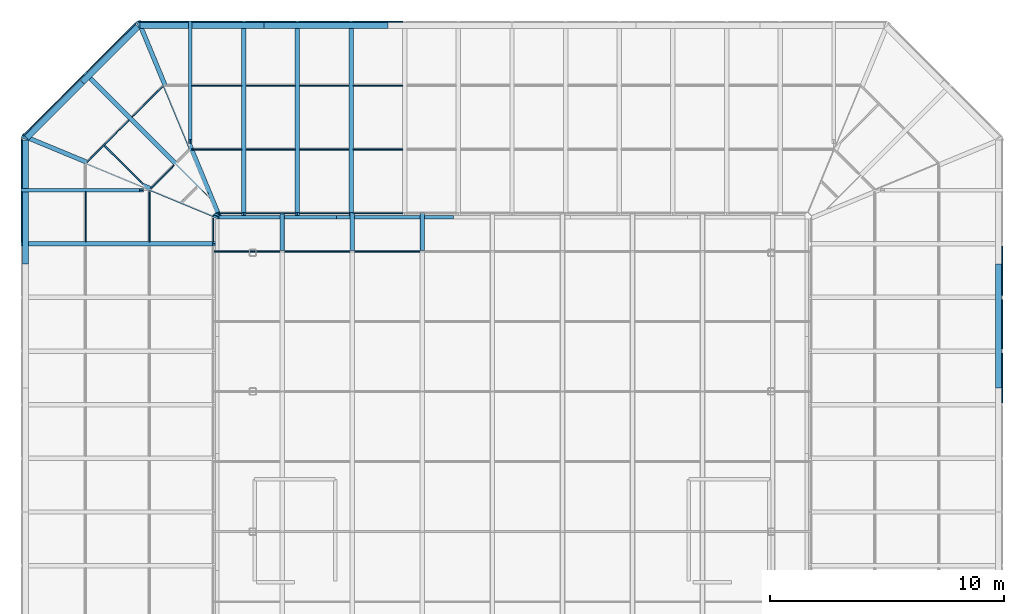
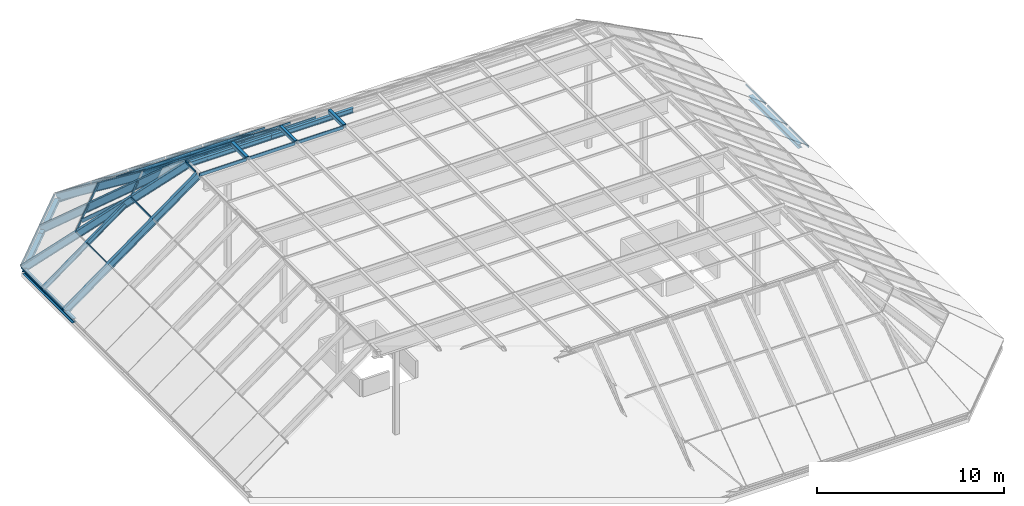
# One storey, part 8 of 15: 57 members, 5 elements without a shape of their own.
"""IFC4 building model written with IfcOpenShell, lengths in metres."""

from ifc_helpers import new_model, si_unit, direction, frame, origin, origin_2d, place, context, subcontext, project, spatial, rectangle, hollow_rectangle, i_section, extrude, material, constituent, constituent_set, material_profile, profile_set, type_object, element, aggregate, save


model = new_model("IFC4")

# Units and contexts
model_context = context("Model", 3, precision=1e-05, world=origin(), true_north=direction((0.0, 1.0)))
body_context = subcontext(model_context, "Body", "Model", "MODEL_VIEW")
ifc_project = project(units=[si_unit("LENGTHUNIT", "METRE"), si_unit("AREAUNIT", "SQUARE_METRE"), si_unit("VOLUMEUNIT", "CUBIC_METRE"), si_unit("PLANEANGLEUNIT", "RADIAN"), si_unit("MASSUNIT", "GRAM", prefix="KILO")], contexts=[model_context])

# Site, building, storey
site_placement = place(None, origin())
site = spatial("IfcSite", under=ifc_project, at=site_placement, CompositionType="ELEMENT")
building_placement = place(site_placement, origin())
building = spatial("IfcBuilding", under=site, at=building_placement, Name="Quoin Convention Tower", CompositionType="ELEMENT")
storey_placement = place(building_placement, frame((0.0, 0.0, 273.699951171875)))
storey = spatial("IfcBuildingStorey", under=building, at=storey_placement, Name="Roof", CompositionType="ELEMENT", Elevation=273.699951171875)

# Curtain wall, members
ifc_material_1 = material(Name="Aluminium", Category="aluminium")
ifc_constituent_1 = constituent(ifc_material_1, Name="Frame")
ifc_material_2 = material(Name="Insulated glass", Category="glass")
ifc_constituent_2 = constituent(ifc_material_2, Name="Glazing")
ifc_constituent_set = constituent_set(constituents=[ifc_constituent_1, ifc_constituent_2], Name="Aluminium")
curtain_wall_type = type_object("IfcCurtainWallType", Name="Lantern roof system", PredefinedType="NOTDEFINED", material=ifc_constituent_set)
curtain_wall_1_placement = place(storey_placement, origin())
curtain_wall_1 = element("IfcCurtainWall", 1, at=curtain_wall_1_placement, inside=storey, type_object=curtain_wall_type, Name="crn-LNR-CAP", PredefinedType="NOTDEFINED")
ifc_material_3 = material(Name="Steel C450L0", Category="steel")
ifc_material_profile_1 = material_profile(ifc_material_3, hollow_rectangle(XDim=0.199951171875, YDim=0.199951171875, WallThickness=0.010009765625, InnerFilletRadius=0.014892578125, OuterFilletRadius=0.02490234375, at=origin_2d()), Name="200x200x10.0SHS")
ifc_profile_set_1 = profile_set([ifc_material_profile_1], Name="Steel C450L0")
member_type_1 = type_object("IfcMemberType", Name="200x200x10.0SHS LANTERN CAP RAIL", PredefinedType="MULLION", material=ifc_profile_set_1)
member_1_placement = place(storey_placement, frame((46.409912109375, 71.93994140625, 6.495361328125), z_axis=(0.0, 1.0, 0.0), x_axis=(-1.0, 0.0, 0.0)))
member_1 = element("IfcMember", 2, at=member_1_placement, type_object=member_type_1, Name="CW6 cap rail", PredefinedType="MULLION", context=body_context, shape_type="SweptSolid", body=[
    extrude(hollow_rectangle(XDim=0.199951171875, YDim=0.199951171875, WallThickness=0.010009765625, InnerFilletRadius=0.014892578125, OuterFilletRadius=0.02490234375, at=origin_2d()), origin(), (0.0, 0.0, 1.0), 1.633544921875),
])
member_2_placement = place(storey_placement, frame((49.409912109375, 71.93994140625, 6.495361328125), z_axis=(0.0, 1.0, 0.0), x_axis=(-1.0, 0.0, 0.0)))
member_2 = element("IfcMember", 3, at=member_2_placement, type_object=member_type_1, Name="CW6 cap rail", PredefinedType="MULLION", context=body_context, shape_type="SweptSolid", body=[
    extrude(hollow_rectangle(XDim=0.199951171875, YDim=0.199951171875, WallThickness=0.010009765625, InnerFilletRadius=0.014892578125, OuterFilletRadius=0.02490234375, at=origin_2d()), origin(), (0.0, 0.0, 1.0), 1.633544921875),
])
member_3_placement = place(storey_placement, frame((52.409912109375, 71.93994140625, 6.495361328125), z_axis=(0.0, 1.0, 0.0), x_axis=(-1.0, 0.0, 0.0)))
member_3 = element("IfcMember", 4, at=member_3_placement, type_object=member_type_1, Name="CW6 cap rail", PredefinedType="MULLION", context=body_context, shape_type="SweptSolid", body=[
    extrude(hollow_rectangle(XDim=0.199951171875, YDim=0.199951171875, WallThickness=0.010009765625, InnerFilletRadius=0.014892578125, OuterFilletRadius=0.02490234375, at=origin_2d()), origin(), (0.0, 0.0, 1.0), 1.633544921875),
])

# Members
ifc_material_4 = material(Name="Steel Grade 300", Category="steel")
ifc_material_profile_2 = material_profile(ifc_material_4, i_section(OverallWidth=0.256103515625, OverallDepth=0.260009765625, WebThickness=0.010498046875, FlangeThickness=0.017333984375, FilletRadius=0.013916015625, at=origin_2d()), Name="250UC89.5")
ifc_profile_set_2 = profile_set([ifc_material_profile_2], Name="Steel Grade 300")
member_type_2 = type_object("IfcMemberType", Name="250UC89.5 EAVES RING", PredefinedType="CHORD", material=ifc_profile_set_2)
for number, where, z_axis, x_axis, name in (
    (5, (77.072021484375, 66.061279296875, 0.130126953125), (0.0, 1.0, 0.0), (-1.0, 0.0, 0.0), "LANTERN EAVES RING"),
    (6, (50.938720703125, 81.572021484375, 0.130126953125), (-1.0, 0.0, 0.0), (0.0, -1.0, 0.0), "LANTERN EAVES RING"),
    (7, (45.62744140625, 81.572021484375, 0.130126953125), (-1.0, 0.0, 0.0), (0.0, -1.0, 0.0), "LANTERN EAVES RING"),
):
    element("IfcMember", number, at=place(storey_placement, frame(where, z_axis=z_axis, x_axis=x_axis)), inside=storey, type_object=member_type_2, Name=name, PredefinedType="CHORD", context=body_context, shape_type="SweptSolid", body=[
        extrude(i_section(OverallWidth=0.256103515625, OverallDepth=0.260009765625, WebThickness=0.010498046875, FlangeThickness=0.017333984375, FilletRadius=0.013916015625, at=origin_2d()), origin(), (0.0, 0.0, 1.0), 5.311279296875),
    ])
for number, where, z_axis, x_axis, name in (
    (8, (40.2255859375, 81.534423828125, 0.130126953125), (-0.707143047722, -0.707070512791, 0.0), (0.707070512791, -0.707143047722, 0.0), "LANTERN EAVES RING"),
    (9, (37.845458984375, 79.154541015625, 0.130126953125), (-0.707070512791, -0.707143047722, 0.0), (0.707143047722, -0.707070512791, 0.0), "LANTERN EAVES RING"),
):
    element("IfcMember", number, at=place(storey_placement, frame(where, z_axis=z_axis, x_axis=x_axis)), inside=storey, type_object=member_type_2, Name=name, PredefinedType="CHORD", context=body_context, shape_type="SweptSolid", body=[
        extrude(i_section(OverallWidth=0.256103515625, OverallDepth=0.260009765625, WebThickness=0.010498046875, FlangeThickness=0.017333984375, FilletRadius=0.013916015625, at=origin_2d()), origin(), (0.0, 0.0, 1.0), 3.36572265625),
    ])
member_4_placement = place(storey_placement, frame((35.427978515625, 76.683837890625, 0.130126953125), z_axis=(0.0, -1.0, 0.0), x_axis=(1.0, 0.0, 0.0)))
element("IfcMember", 10, at=member_4_placement, inside=storey, type_object=member_type_2, Name="LANTERN EAVES RING", PredefinedType="CHORD", context=body_context, shape_type="SweptSolid", body=[
    extrude(i_section(OverallWidth=0.256103515625, OverallDepth=0.260009765625, WebThickness=0.010498046875, FlangeThickness=0.017333984375, FilletRadius=0.013916015625, at=origin_2d()), origin(), (0.0, 0.0, 1.0), 5.311279296875),
])

# Curtain wall, member
curtain_wall_2_placement = place(storey_placement, origin())
curtain_wall_2 = element("IfcCurtainWall", 11, at=curtain_wall_2_placement, inside=storey, type_object=curtain_wall_type, Name="crn-LNR-F72327_81790", PredefinedType="NOTDEFINED")
ifc_material_profile_3 = material_profile(ifc_material_4, i_section(OverallWidth=0.14892578125, OverallDepth=0.298095703125, WebThickness=0.005615234375, FlangeThickness=0.008056640625, FilletRadius=0.012939453125, at=origin_2d()), Name="310UB32.0")
ifc_profile_set_3 = profile_set([ifc_material_profile_3], Name="Steel Grade 300")
member_type_3 = type_object("IfcMemberType", Name="310UB32.0 LANTERN RAFTER", PredefinedType="MULLION", material=ifc_profile_set_3)
member_5_placement = place(storey_placement, frame((42.469482421875, 81.685546875, 0.332763671875), z_axis=(0.0, -0.807036644886, 0.590501358009), x_axis=(1.0, 0.0, 0.0)))
member_5 = element("IfcMember", 12, at=member_5_placement, type_object=member_type_3, Name="CW6 steel rafter", PredefinedType="MULLION", context=body_context, shape_type="SweptSolid", body=[
    extrude(i_section(OverallWidth=0.14892578125, OverallDepth=0.298095703125, WebThickness=0.005615234375, FlangeThickness=0.008056640625, FilletRadius=0.012939453125, at=origin_2d()), origin(), (0.0, 0.0, 1.0), 6.286865234375),
])

curtain_wall_3_placement = place(storey_placement, origin())
curtain_wall_3 = element("IfcCurtainWall", 13, at=curtain_wall_3_placement, inside=storey, type_object=curtain_wall_type, Name="crn-LNR-F35210_76827", PredefinedType="NOTDEFINED")
member_6_placement = place(storey_placement, frame((35.314453125, 74.530517578125, 0.332763671875), z_axis=(0.807036644886, 0.0, 0.590501358009), x_axis=(0.0, 1.0, 0.0)))
member_6 = element("IfcMember", 14, at=member_6_placement, type_object=member_type_3, Name="CW6 steel rafter", PredefinedType="MULLION", context=body_context, shape_type="SweptSolid", body=[
    extrude(i_section(OverallWidth=0.14892578125, OverallDepth=0.298095703125, WebThickness=0.005615234375, FlangeThickness=0.008056640625, FilletRadius=0.012939453125, at=origin_2d()), origin(), (0.0, 0.0, 1.0), 6.286865234375),
])

# Members
ifc_material_profile_4 = material_profile(ifc_material_4, i_section(OverallWidth=0.166015625, OverallDepth=0.306884765625, WebThickness=0.006591796875, FlangeThickness=0.01171875, FilletRadius=0.011474609375, at=origin_2d()), Name="310UB46.2")
ifc_profile_set_4 = profile_set([ifc_material_profile_4], Name="Steel Grade 300")
member_type_4 = type_object("IfcMemberType", Name="310UB46.2 COMPRESSION RING", PredefinedType="CHORD", material=ifc_profile_set_4)
member_7_placement = place(storey_placement, frame((53.741943359375, 73.373046875, 6.241943359375), z_axis=(-1.0, 0.0, 0.0), x_axis=(0.0, -1.0, 0.0)))
element("IfcMember", 15, at=member_7_placement, inside=storey, type_object=member_type_4, Name="LANTERN COMPRESSION RING", PredefinedType="CHORD", context=body_context, shape_type="SweptSolid", body=[
    extrude(i_section(OverallWidth=0.166015625, OverallDepth=0.306884765625, WebThickness=0.006591796875, FlangeThickness=0.01171875, FilletRadius=0.011474609375, at=origin_2d()), origin(), (0.0, 0.0, 1.0), 5.015869140625),
])
member_8_placement = place(storey_placement, frame((48.72607421875, 73.373046875, 6.241943359375), z_axis=(-1.0, 0.0, 0.0), x_axis=(0.0, -1.0, 0.0)))
element("IfcMember", 16, at=member_8_placement, inside=storey, type_object=member_type_4, Name="LANTERN COMPRESSION RING", PredefinedType="CHORD", context=body_context, shape_type="SweptSolid", body=[
    extrude(i_section(OverallWidth=0.166015625, OverallDepth=0.306884765625, WebThickness=0.006591796875, FlangeThickness=0.01171875, FilletRadius=0.011474609375, at=origin_2d()), origin(), (0.0, 0.0, 1.0), 5.01611328125),
])
ifc_material_profile_5 = material_profile(ifc_material_4, i_section(OverallWidth=0.18994140625, OverallDepth=0.4541015625, WebThickness=0.008544921875, FlangeThickness=0.0126953125, FilletRadius=0.011474609375, at=origin_2d()), Name="460UB67.1")
ifc_profile_set_5 = profile_set([ifc_material_profile_5], Name="Steel Grade 300")
member_type_5 = type_object("IfcMemberType", Name="460UB67.1 LANTERN HIP RAFTER", PredefinedType="RAFTER", material=ifc_profile_set_5)
for number, where, z_axis, x_axis, name in (
    (17, (40.300048828125, 81.66259765625, 0.229248046875), (0.317054171085, -0.765391967529, 0.560046237949), (0.923871663902, 0.382702428316, 0.0), "CW6 steel hip rafter"),
    (18, (35.39013671875, 76.8271484375, 0.229248046875), (0.765397497452, -0.317033673283, 0.560050284259), (0.382678949804, 0.923881389236, 0.0), "CW6 steel hip rafter"),
):
    element("IfcMember", number, at=place(storey_placement, frame(where, z_axis=z_axis, x_axis=x_axis)), inside=storey, type_object=member_type_5, Name=name, PredefinedType="RAFTER", context=body_context, shape_type="SweptSolid", body=[
        extrude(i_section(OverallWidth=0.18994140625, OverallDepth=0.4541015625, WebThickness=0.008544921875, FlangeThickness=0.0126953125, FilletRadius=0.011474609375, at=origin_2d()), origin(), (0.0, 0.0, 1.0), 10.71337890625),
    ])

# Member
ifc_material_profile_6 = material_profile(ifc_material_4, i_section(OverallWidth=0.18994140625, OverallDepth=0.4541015625, WebThickness=0.008544921875, FlangeThickness=0.0126953125, FilletRadius=0.011474609375, at=origin_2d()), Name="460UB67.1")
ifc_profile_set_6 = profile_set([ifc_material_profile_6], Name="Steel Grade 300")
member_type_6 = type_object("IfcMemberType", Name="460UB67.1 LANTERN RAFTER", PredefinedType="MULLION", material=ifc_profile_set_6)
member_9_placement = place(storey_placement, frame((49.35986328125, 81.639404296875, 0.26953125), z_axis=(0.0, -0.807028649932, 0.590512284537), x_axis=(1.0, 0.0, 0.0)))
member_9 = element("IfcMember", 19, at=member_9_placement, type_object=member_type_6, Name="CW6 steel rafter", PredefinedType="MULLION", context=body_context, shape_type="SweptSolid", body=[
    extrude(i_section(OverallWidth=0.18994140625, OverallDepth=0.4541015625, WebThickness=0.008544921875, FlangeThickness=0.0126953125, FilletRadius=0.011474609375, at=origin_2d()), origin(), (0.0, 0.0, 1.0), 10.16064453125),
])

member_10_placement = place(storey_placement, frame((47.06298828125, 81.639404296875, 0.26953125), z_axis=(0.0, -0.807028649932, 0.590512284537), x_axis=(1.0, 0.0, 0.0)))
member_10 = element("IfcMember", 20, at=member_10_placement, type_object=member_type_6, Name="CW6 steel rafter", PredefinedType="MULLION", context=body_context, shape_type="SweptSolid", body=[
    extrude(i_section(OverallWidth=0.18994140625, OverallDepth=0.4541015625, WebThickness=0.008544921875, FlangeThickness=0.0126953125, FilletRadius=0.011474609375, at=origin_2d()), origin(), (0.0, 0.0, 1.0), 10.16064453125),
])

member_11_placement = place(storey_placement, frame((44.766357421875, 81.639404296875, 0.26953125), z_axis=(0.0, -0.807028649932, 0.590512284537), x_axis=(1.0, 0.0, 0.0)))
member_11 = element("IfcMember", 21, at=member_11_placement, type_object=member_type_6, Name="CW6 steel rafter", PredefinedType="MULLION", context=body_context, shape_type="SweptSolid", body=[
    extrude(i_section(OverallWidth=0.18994140625, OverallDepth=0.4541015625, WebThickness=0.008544921875, FlangeThickness=0.0126953125, FilletRadius=0.011474609375, at=origin_2d()), origin(), (0.0, 0.0, 1.0), 10.16064453125),
])

# Curtain wall, member
curtain_wall_4_placement = place(storey_placement, origin())
curtain_wall_4 = element("IfcCurtainWall", 22, at=curtain_wall_4_placement, inside=storey, type_object=curtain_wall_type, Name="crn-LNR-F40173_81790", PredefinedType="NOTDEFINED")
member_12_placement = place(storey_placement, frame((38.052001953125, 79.4560546875, 0.26953125), z_axis=(0.570654798097, -0.570654798097, 0.590513507735), x_axis=(0.707106781187, 0.707106781187, 0.0)))
member_12 = element("IfcMember", 23, at=member_12_placement, type_object=member_type_6, Name="CW6 steel rafter", PredefinedType="MULLION", context=body_context, shape_type="SweptSolid", body=[
    extrude(i_section(OverallWidth=0.18994140625, OverallDepth=0.4541015625, WebThickness=0.008544921875, FlangeThickness=0.0126953125, FilletRadius=0.011474609375, at=origin_2d()), origin(), (0.0, 0.0, 1.0), 8.83935546875),
])

# Member
member_13_placement = place(storey_placement, frame((35.360595703125, 72.233642578125, 0.26953125), z_axis=(0.807028649932, 0.0, 0.590512284537), x_axis=(0.0, 1.0, 0.0)))
member_13 = element("IfcMember", 24, at=member_13_placement, type_object=member_type_6, Name="CW6 steel rafter", PredefinedType="MULLION", context=body_context, shape_type="SweptSolid", body=[
    extrude(i_section(OverallWidth=0.18994140625, OverallDepth=0.4541015625, WebThickness=0.008544921875, FlangeThickness=0.0126953125, FilletRadius=0.011474609375, at=origin_2d()), origin(), (0.0, 0.0, 1.0), 10.16064453125),
])

ifc_material_profile_7 = material_profile(ifc_material_1, rectangle(XDim=0.028076171875, YDim=0.179931640625, at=origin_2d()), Name="Lantern roof cap cover bar 180x28")
ifc_profile_set_7 = profile_set([ifc_material_profile_7], Name="Aluminium")
member_type_7 = type_object("IfcMemberType", Name="Lantern roof cap cover bar 180x28", PredefinedType="USERDEFINED", material=ifc_profile_set_7)
member_14_placement = place(storey_placement, frame((46.409912109375, 71.93994140625, 6.609375), z_axis=(0.0, 1.0, 0.0), x_axis=(0.0, 0.0, 1.0)))
member_14 = element("IfcMember", 25, at=member_14_placement, type_object=member_type_7, Name="CW6 cap cover bar", ObjectType="CAP COVER", PredefinedType="USERDEFINED", context=body_context, shape_type="SweptSolid", body=[
    extrude(rectangle(XDim=0.028076171875, YDim=0.179931640625, at=origin_2d()), origin(), (0.0, 0.0, 1.0), 1.633544921875),
])

member_15_placement = place(storey_placement, frame((49.409912109375, 71.93994140625, 6.609375), z_axis=(0.0, 1.0, 0.0), x_axis=(0.0, 0.0, 1.0)))
member_15 = element("IfcMember", 26, at=member_15_placement, type_object=member_type_7, Name="CW6 cap cover bar", ObjectType="CAP COVER", PredefinedType="USERDEFINED", context=body_context, shape_type="SweptSolid", body=[
    extrude(rectangle(XDim=0.028076171875, YDim=0.179931640625, at=origin_2d()), origin(), (0.0, 0.0, 1.0), 1.633544921875),
])

member_16_placement = place(storey_placement, frame((52.409912109375, 71.93994140625, 6.609375), z_axis=(0.0, 1.0, 0.0), x_axis=(0.0, 0.0, 1.0)))
member_16 = element("IfcMember", 27, at=member_16_placement, type_object=member_type_7, Name="CW6 cap cover bar", ObjectType="CAP COVER", PredefinedType="USERDEFINED", context=body_context, shape_type="SweptSolid", body=[
    extrude(rectangle(XDim=0.028076171875, YDim=0.179931640625, at=origin_2d()), origin(), (0.0, 0.0, 1.0), 1.633544921875),
])

ifc_material_profile_8 = material_profile(ifc_material_1, rectangle(XDim=0.199951171875, YDim=0.06005859375, at=origin_2d()), Name="Lantern roof mullion 60x200")
ifc_profile_set_8 = profile_set([ifc_material_profile_8], Name="Aluminium")
member_type_8 = type_object("IfcMemberType", Name="Lantern roof mullion 60x200", PredefinedType="MULLION", material=ifc_profile_set_8)
member_17_placement = place(storey_placement, frame((38.79736328125, 76.442138671875, 2.3720703125), z_axis=(0.570655053793, -0.570655053793, 0.590513013541), x_axis=(-0.417555756253, 0.417555756253, 0.807028116511)))
member_17 = element("IfcMember", 28, at=member_17_placement, type_object=member_type_8, Name="CW6 jack rafter", PredefinedType="MULLION", context=body_context, shape_type="SweptSolid", body=[
    extrude(rectangle(XDim=0.199951171875, YDim=0.06005859375, at=origin_2d()), origin(), (0.0, 0.0, 1.0), 2.80322265625),
])

member_18_placement = place(storey_placement, frame((43.426513671875, 71.909912109375, 6.495361328125), z_axis=(1.0, 0.0, 0.0), x_axis=(0.0, 0.0, 1.0)))
member_18 = element("IfcMember", 29, at=member_18_placement, type_object=member_type_8, Name="CW6 cap beam", PredefinedType="MULLION", context=body_context, shape_type="SweptSolid", body=[
    extrude(rectangle(XDim=0.199951171875, YDim=0.06005859375, at=origin_2d()), origin(), (0.0, 0.0, 1.0), 2.883544921875),
])

member_19_placement = place(storey_placement, frame((46.510009765625, 71.909912109375, 6.495361328125), z_axis=(1.0, 0.0, 0.0), x_axis=(0.0, 0.0, 1.0)))
member_19 = element("IfcMember", 30, at=member_19_placement, type_object=member_type_8, Name="CW6 cap beam", PredefinedType="MULLION", context=body_context, shape_type="SweptSolid", body=[
    extrude(rectangle(XDim=0.199951171875, YDim=0.06005859375, at=origin_2d()), origin(), (0.0, 0.0, 1.0), 2.800048828125),
])

member_20_placement = place(storey_placement, frame((49.510009765625, 71.909912109375, 6.495361328125), z_axis=(1.0, 0.0, 0.0), x_axis=(0.0, 0.0, 1.0)))
member_20 = element("IfcMember", 31, at=member_20_placement, type_object=member_type_8, Name="CW6 cap beam", PredefinedType="MULLION", context=body_context, shape_type="SweptSolid", body=[
    extrude(rectangle(XDim=0.199951171875, YDim=0.06005859375, at=origin_2d()), origin(), (0.0, 0.0, 1.0), 2.800048828125),
])

aggregate(curtain_wall_1, [member_18, member_19, member_20, member_1, member_2, member_3, member_14, member_15, member_16])

# Curtain wall, members
curtain_wall_5_placement = place(storey_placement, origin())
curtain_wall_5 = element("IfcCurtainWall", 32, at=curtain_wall_5_placement, inside=storey, type_object=curtain_wall_type, Name="crn-LNR-F77290_44673", PredefinedType="NOTDEFINED")
ifc_material_profile_9 = material_profile(ifc_material_1, rectangle(XDim=0.1201171875, YDim=0.050048828125, at=origin_2d()), Name="Lantern roof transom 50x120")
ifc_profile_set_9 = profile_set([ifc_material_profile_9], Name="Aluminium")
member_type_9 = type_object("IfcMemberType", Name="Lantern roof transom 50x120", PredefinedType="USERDEFINED", material=ifc_profile_set_9)
member_21_placement = place(storey_placement, frame((77.238037109375, 65.4384765625, 0.404541015625), z_axis=(0.0, 1.0, 0.0), x_axis=(0.0, 0.0, 1.0)))
member_21 = element("IfcMember", 33, at=member_21_placement, type_object=member_type_9, Name="CW6 transom", ObjectType="TRANSOM", PredefinedType="USERDEFINED", context=body_context, shape_type="SweptSolid", body=[
    extrude(rectangle(XDim=0.1201171875, YDim=0.050048828125, at=origin_2d()), origin(), (0.0, 0.0, 1.0), 2.106689453125),
])
member_22_placement = place(storey_placement, frame((77.238037109375, 67.735107421875, 0.404541015625), z_axis=(0.0, 1.0, 0.0), x_axis=(0.0, 0.0, 1.0)))
member_22 = element("IfcMember", 34, at=member_22_placement, type_object=member_type_9, Name="CW6 transom", ObjectType="TRANSOM", PredefinedType="USERDEFINED", context=body_context, shape_type="SweptSolid", body=[
    extrude(rectangle(XDim=0.1201171875, YDim=0.050048828125, at=origin_2d()), origin(), (0.0, 0.0, 1.0), 2.10693359375),
])
member_23_placement = place(storey_placement, frame((77.238037109375, 70.031982421875, 0.404541015625), z_axis=(0.0, 1.0, 0.0), x_axis=(0.0, 0.0, 1.0)))
member_23 = element("IfcMember", 35, at=member_23_placement, type_object=member_type_9, Name="CW6 transom", ObjectType="TRANSOM", PredefinedType="USERDEFINED", context=body_context, shape_type="SweptSolid", body=[
    extrude(rectangle(XDim=0.1201171875, YDim=0.050048828125, at=origin_2d()), origin(), (0.0, 0.0, 1.0), 2.106689453125),
])
aggregate(curtain_wall_5, [member_21, member_22, member_23])

# Member
member_24_placement = place(storey_placement, frame((51.5615234375, 81.738037109375, 0.404541015625), z_axis=(-1.0, 0.0, 0.0), x_axis=(0.0, 0.0, 1.0)))
member_24 = element("IfcMember", 36, at=member_24_placement, type_object=member_type_9, Name="CW6 transom", ObjectType="TRANSOM", PredefinedType="USERDEFINED", context=body_context, shape_type="SweptSolid", body=[
    extrude(rectangle(XDim=0.1201171875, YDim=0.050048828125, at=origin_2d()), origin(), (0.0, 0.0, 1.0), 2.106689453125),
])

member_25_placement = place(storey_placement, frame((49.264892578125, 81.738037109375, 0.404541015625), z_axis=(-1.0, 0.0, 0.0), x_axis=(0.0, 0.0, 1.0)))
member_25 = element("IfcMember", 37, at=member_25_placement, type_object=member_type_9, Name="CW6 transom", ObjectType="TRANSOM", PredefinedType="USERDEFINED", context=body_context, shape_type="SweptSolid", body=[
    extrude(rectangle(XDim=0.1201171875, YDim=0.050048828125, at=origin_2d()), origin(), (0.0, 0.0, 1.0), 2.10693359375),
])

member_26_placement = place(storey_placement, frame((46.968017578125, 81.738037109375, 0.404541015625), z_axis=(-1.0, 0.0, 0.0), x_axis=(0.0, 0.0, 1.0)))
member_26 = element("IfcMember", 38, at=member_26_placement, type_object=member_type_9, Name="CW6 transom", ObjectType="TRANSOM", PredefinedType="USERDEFINED", context=body_context, shape_type="SweptSolid", body=[
    extrude(rectangle(XDim=0.1201171875, YDim=0.050048828125, at=origin_2d()), origin(), (0.0, 0.0, 1.0), 2.106689453125),
])

member_27_placement = place(storey_placement, frame((44.67138671875, 81.738037109375, 0.404541015625), z_axis=(-1.0, 0.0, 0.0), x_axis=(0.0, 0.0, 1.0)))
member_27 = element("IfcMember", 39, at=member_27_placement, type_object=member_type_9, Name="CW6 transom", ObjectType="TRANSOM", PredefinedType="USERDEFINED", context=body_context, shape_type="SweptSolid", body=[
    extrude(rectangle(XDim=0.1201171875, YDim=0.050048828125, at=origin_2d()), origin(), (0.0, 0.0, 1.0), 2.12744140625),
])

member_28_placement = place(storey_placement, frame((42.39501953125, 81.738037109375, 0.404541015625), z_axis=(-1.0, 0.0, 0.0), x_axis=(0.0, 0.0, 1.0)))
member_28 = element("IfcMember", 40, at=member_28_placement, type_object=member_type_9, Name="CW6 transom", ObjectType="TRANSOM", PredefinedType="USERDEFINED", context=body_context, shape_type="SweptSolid", body=[
    extrude(rectangle(XDim=0.1201171875, YDim=0.050048828125, at=origin_2d()), origin(), (0.0, 0.0, 1.0), 2.1220703125),
])

member_29_placement = place(storey_placement, frame((51.5615234375, 79.004638671875, 2.404541015625), z_axis=(-1.0, 0.0, 0.0), x_axis=(0.0, 0.0, 1.0)))
member_29 = element("IfcMember", 41, at=member_29_placement, type_object=member_type_9, Name="CW6 transom", ObjectType="TRANSOM", PredefinedType="USERDEFINED", context=body_context, shape_type="SweptSolid", body=[
    extrude(rectangle(XDim=0.1201171875, YDim=0.050048828125, at=origin_2d()), origin(), (0.0, 0.0, 1.0), 2.106689453125),
])

member_30_placement = place(storey_placement, frame((49.264892578125, 79.004638671875, 2.404541015625), z_axis=(-1.0, 0.0, 0.0), x_axis=(0.0, 0.0, 1.0)))
member_30 = element("IfcMember", 42, at=member_30_placement, type_object=member_type_9, Name="CW6 transom", ObjectType="TRANSOM", PredefinedType="USERDEFINED", context=body_context, shape_type="SweptSolid", body=[
    extrude(rectangle(XDim=0.1201171875, YDim=0.050048828125, at=origin_2d()), origin(), (0.0, 0.0, 1.0), 2.10693359375),
])

member_31_placement = place(storey_placement, frame((46.968017578125, 79.004638671875, 2.404541015625), z_axis=(-1.0, 0.0, 0.0), x_axis=(0.0, 0.0, 1.0)))
member_31 = element("IfcMember", 43, at=member_31_placement, type_object=member_type_9, Name="CW6 transom", ObjectType="TRANSOM", PredefinedType="USERDEFINED", context=body_context, shape_type="SweptSolid", body=[
    extrude(rectangle(XDim=0.1201171875, YDim=0.050048828125, at=origin_2d()), origin(), (0.0, 0.0, 1.0), 2.106689453125),
])

member_32_placement = place(storey_placement, frame((44.67138671875, 79.004638671875, 2.404541015625), z_axis=(-1.0, 0.0, 0.0), x_axis=(0.0, 0.0, 1.0)))
member_32 = element("IfcMember", 44, at=member_32_placement, type_object=member_type_9, Name="CW6 transom", ObjectType="TRANSOM", PredefinedType="USERDEFINED", context=body_context, shape_type="SweptSolid", body=[
    extrude(rectangle(XDim=0.1201171875, YDim=0.050048828125, at=origin_2d()), origin(), (0.0, 0.0, 1.0), 2.12744140625),
])

member_33_placement = place(storey_placement, frame((51.5615234375, 76.271484375, 4.404541015625), z_axis=(-1.0, 0.0, 0.0), x_axis=(0.0, 0.0, 1.0)))
member_33 = element("IfcMember", 45, at=member_33_placement, type_object=member_type_9, Name="CW6 transom", ObjectType="TRANSOM", PredefinedType="USERDEFINED", context=body_context, shape_type="SweptSolid", body=[
    extrude(rectangle(XDim=0.1201171875, YDim=0.050048828125, at=origin_2d()), origin(), (0.0, 0.0, 1.0), 2.106689453125),
])

member_34_placement = place(storey_placement, frame((49.264892578125, 76.271484375, 4.404541015625), z_axis=(-1.0, 0.0, 0.0), x_axis=(0.0, 0.0, 1.0)))
member_34 = element("IfcMember", 46, at=member_34_placement, type_object=member_type_9, Name="CW6 transom", ObjectType="TRANSOM", PredefinedType="USERDEFINED", context=body_context, shape_type="SweptSolid", body=[
    extrude(rectangle(XDim=0.1201171875, YDim=0.050048828125, at=origin_2d()), origin(), (0.0, 0.0, 1.0), 2.10693359375),
])

member_35_placement = place(storey_placement, frame((46.968017578125, 76.271484375, 4.404541015625), z_axis=(-1.0, 0.0, 0.0), x_axis=(0.0, 0.0, 1.0)))
member_35 = element("IfcMember", 47, at=member_35_placement, type_object=member_type_9, Name="CW6 transom", ObjectType="TRANSOM", PredefinedType="USERDEFINED", context=body_context, shape_type="SweptSolid", body=[
    extrude(rectangle(XDim=0.1201171875, YDim=0.050048828125, at=origin_2d()), origin(), (0.0, 0.0, 1.0), 2.106689453125),
])

member_36_placement = place(storey_placement, frame((44.67138671875, 76.271484375, 4.404541015625), z_axis=(-1.0, 0.0, 0.0), x_axis=(0.0, 0.0, 1.0)))
member_36 = element("IfcMember", 48, at=member_36_placement, type_object=member_type_9, Name="CW6 transom", ObjectType="TRANSOM", PredefinedType="USERDEFINED", context=body_context, shape_type="SweptSolid", body=[
    extrude(rectangle(XDim=0.1201171875, YDim=0.050048828125, at=origin_2d()), origin(), (0.0, 0.0, 1.0), 2.134033203125),
])

member_37_placement = place(storey_placement, frame((51.5615234375, 73.5380859375, 6.404541015625), z_axis=(-1.0, 0.0, 0.0), x_axis=(0.0, 0.0, 1.0)))
member_37 = element("IfcMember", 49, at=member_37_placement, type_object=member_type_9, Name="CW6 transom", ObjectType="TRANSOM", PredefinedType="USERDEFINED", context=body_context, shape_type="SweptSolid", body=[
    extrude(rectangle(XDim=0.1201171875, YDim=0.050048828125, at=origin_2d()), origin(), (0.0, 0.0, 1.0), 2.106689453125),
])

member_38_placement = place(storey_placement, frame((49.264892578125, 73.5380859375, 6.404541015625), z_axis=(-1.0, 0.0, 0.0), x_axis=(0.0, 0.0, 1.0)))
member_38 = element("IfcMember", 50, at=member_38_placement, type_object=member_type_9, Name="CW6 transom", ObjectType="TRANSOM", PredefinedType="USERDEFINED", context=body_context, shape_type="SweptSolid", body=[
    extrude(rectangle(XDim=0.1201171875, YDim=0.050048828125, at=origin_2d()), origin(), (0.0, 0.0, 1.0), 2.10693359375),
])

member_39_placement = place(storey_placement, frame((46.968017578125, 73.5380859375, 6.404541015625), z_axis=(-1.0, 0.0, 0.0), x_axis=(0.0, 0.0, 1.0)))
member_39 = element("IfcMember", 51, at=member_39_placement, type_object=member_type_9, Name="CW6 transom", ObjectType="TRANSOM", PredefinedType="USERDEFINED", context=body_context, shape_type="SweptSolid", body=[
    extrude(rectangle(XDim=0.1201171875, YDim=0.050048828125, at=origin_2d()), origin(), (0.0, 0.0, 1.0), 2.106689453125),
])

member_40_placement = place(storey_placement, frame((44.67138671875, 73.5380859375, 6.404541015625), z_axis=(-1.0, 0.0, 0.0), x_axis=(0.0, 0.0, 1.0)))
member_40 = element("IfcMember", 52, at=member_40_placement, type_object=member_type_9, Name="CW6 transom", ObjectType="TRANSOM", PredefinedType="USERDEFINED", context=body_context, shape_type="SweptSolid", body=[
    extrude(rectangle(XDim=0.1201171875, YDim=0.050048828125, at=origin_2d()), origin(), (0.0, 0.0, 1.0), 1.001953125),
])

aggregate(curtain_wall_2, [member_9, member_10, member_11, member_5, member_24, member_25, member_26, member_27, member_28, member_29, member_30, member_31, member_32, member_33, member_34, member_35, member_36, member_37, member_38, member_39, member_40])

member_41_placement = place(storey_placement, frame((40.138671875, 81.682373046875, 0.404541015625), z_axis=(-0.707106781187, -0.707106781187, 0.0), x_axis=(0.0, 0.0, 1.0)))
member_41 = element("IfcMember", 53, at=member_41_placement, type_object=member_type_9, Name="CW6 transom", ObjectType="TRANSOM", PredefinedType="USERDEFINED", context=body_context, shape_type="SweptSolid", body=[
    extrude(rectangle(XDim=0.1201171875, YDim=0.050048828125, at=origin_2d()), origin(), (0.0, 0.0, 1.0), 2.954833984375),
])

member_42_placement = place(storey_placement, frame((37.9150390625, 79.458740234375, 0.404541015625), z_axis=(-0.707106781187, -0.707106781187, 0.0), x_axis=(0.0, 0.0, 1.0)))
member_42 = element("IfcMember", 54, at=member_42_placement, type_object=member_type_9, Name="CW6 transom", ObjectType="TRANSOM", PredefinedType="USERDEFINED", context=body_context, shape_type="SweptSolid", body=[
    extrude(rectangle(XDim=0.1201171875, YDim=0.050048828125, at=origin_2d()), origin(), (0.0, 0.0, 1.0), 3.67333984375),
])

member_43_placement = place(storey_placement, frame((41.27099609375, 78.94921875, 2.404541015625), z_axis=(-0.707106781187, -0.707106781187, 0.0), x_axis=(0.0, 0.0, 1.0)))
member_43 = element("IfcMember", 55, at=member_43_placement, type_object=member_type_9, Name="CW6 transom", ObjectType="TRANSOM", PredefinedType="USERDEFINED", context=body_context, shape_type="SweptSolid", body=[
    extrude(rectangle(XDim=0.1201171875, YDim=0.050048828125, at=origin_2d()), origin(), (0.0, 0.0, 1.0), 1.82275390625),
])

member_44_placement = place(storey_placement, frame((39.84765625, 77.52587890625, 2.404541015625), z_axis=(-0.707106781187, -0.707106781187, 0.0), x_axis=(0.0, 0.0, 1.0)))
member_44 = element("IfcMember", 56, at=member_44_placement, type_object=member_type_9, Name="CW6 transom", ObjectType="TRANSOM", PredefinedType="USERDEFINED", context=body_context, shape_type="SweptSolid", body=[
    extrude(rectangle(XDim=0.1201171875, YDim=0.050048828125, at=origin_2d()), origin(), (0.0, 0.0, 1.0), 2.541259765625),
])

member_45_placement = place(storey_placement, frame((41.780517578125, 75.59326171875, 4.404541015625), z_axis=(-0.707106781187, -0.707106781187, 0.0), x_axis=(0.0, 0.0, 1.0)))
member_45 = element("IfcMember", 57, at=member_45_placement, type_object=member_type_9, Name="CW6 transom", ObjectType="TRANSOM", PredefinedType="USERDEFINED", context=body_context, shape_type="SweptSolid", body=[
    extrude(rectangle(XDim=0.1201171875, YDim=0.050048828125, at=origin_2d()), origin(), (0.0, 0.0, 1.0), 1.408935546875),
])

aggregate(curtain_wall_4, [member_12, member_41, member_42, member_43, member_44, member_45, member_17])

member_46_placement = place(storey_placement, frame((35.261962890625, 76.72705078125, 0.404541015625), z_axis=(0.0, -1.0, 0.0), x_axis=(0.0, 0.0, 1.0)))
member_46 = element("IfcMember", 58, at=member_46_placement, type_object=member_type_9, Name="CW6 transom", ObjectType="TRANSOM", PredefinedType="USERDEFINED", context=body_context, shape_type="SweptSolid", body=[
    extrude(rectangle(XDim=0.1201171875, YDim=0.050048828125, at=origin_2d()), origin(), (0.0, 0.0, 1.0), 2.1220703125),
])

member_47_placement = place(storey_placement, frame((35.261962890625, 74.4560546875, 0.404541015625), z_axis=(0.0, -1.0, 0.0), x_axis=(0.0, 0.0, 1.0)))
member_47 = element("IfcMember", 59, at=member_47_placement, type_object=member_type_9, Name="CW6 transom", ObjectType="TRANSOM", PredefinedType="USERDEFINED", context=body_context, shape_type="SweptSolid", body=[
    extrude(rectangle(XDim=0.1201171875, YDim=0.050048828125, at=origin_2d()), origin(), (0.0, 0.0, 1.0), 2.12744140625),
])

member_48_placement = place(storey_placement, frame((37.995361328125, 74.4560546875, 2.404541015625), z_axis=(0.0, -1.0, 0.0), x_axis=(0.0, 0.0, 1.0)))
member_48 = element("IfcMember", 60, at=member_48_placement, type_object=member_type_9, Name="CW6 transom", ObjectType="TRANSOM", PredefinedType="USERDEFINED", context=body_context, shape_type="SweptSolid", body=[
    extrude(rectangle(XDim=0.1201171875, YDim=0.050048828125, at=origin_2d()), origin(), (0.0, 0.0, 1.0), 2.12744140625),
])

member_49_placement = place(storey_placement, frame((40.728515625, 74.462646484375, 4.404541015625), z_axis=(0.0, -1.0, 0.0), x_axis=(0.0, 0.0, 1.0)))
member_49 = element("IfcMember", 61, at=member_49_placement, type_object=member_type_9, Name="CW6 transom", ObjectType="TRANSOM", PredefinedType="USERDEFINED", context=body_context, shape_type="SweptSolid", body=[
    extrude(rectangle(XDim=0.1201171875, YDim=0.050048828125, at=origin_2d()), origin(), (0.0, 0.0, 1.0), 2.134033203125),
])

member_50_placement = place(storey_placement, frame((43.4619140625, 73.33056640625, 6.404541015625), z_axis=(0.0, -1.0, 0.0), x_axis=(0.0, 0.0, 1.0)))
member_50 = element("IfcMember", 62, at=member_50_placement, type_object=member_type_9, Name="CW6 transom", ObjectType="TRANSOM", PredefinedType="USERDEFINED", context=body_context, shape_type="SweptSolid", body=[
    extrude(rectangle(XDim=0.1201171875, YDim=0.050048828125, at=origin_2d()), origin(), (0.0, 0.0, 1.0), 1.001953125),
])

aggregate(curtain_wall_3, [member_6, member_13, member_46, member_47, member_48, member_49, member_50])

save(model, "model.ifc")
